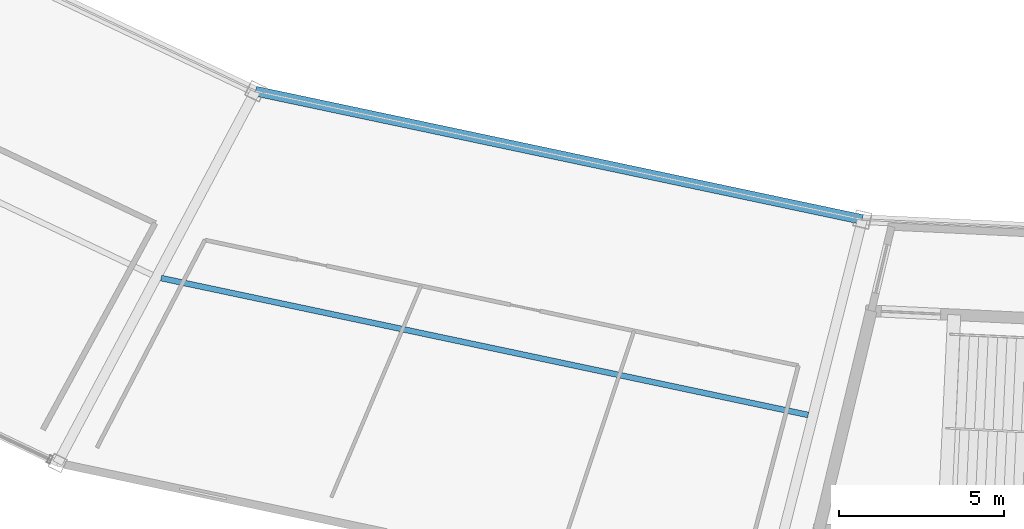
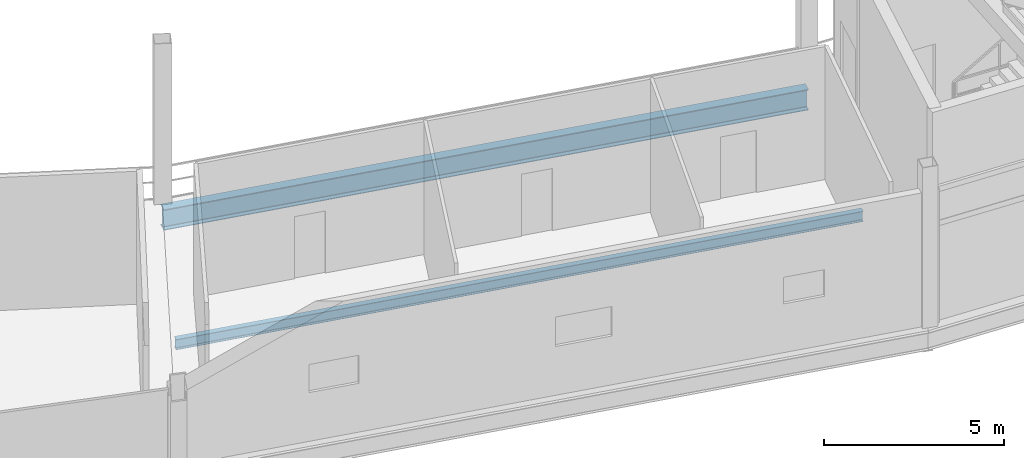
# One storey, part 23 of 103: 2 beams.
"""IFC4 building model written with IfcOpenShell, lengths in metres."""

from ifc_helpers import new_model, si_unit, direction, frame, origin, origin_2d, place, context, subcontext, project, spatial, i_section, extrude, material, material_profile, profile_set, type_object, element, save


model = new_model("IFC4")

# Units and contexts
model_context = context("Model", 3, precision=1e-05, world=origin(), true_north=direction((0.0, 1.0)))
body_context = subcontext(model_context, "Body", "Model", "MODEL_VIEW")
ifc_project = project(units=[si_unit("LENGTHUNIT", "METRE"), si_unit("AREAUNIT", "SQUARE_METRE"), si_unit("VOLUMEUNIT", "CUBIC_METRE"), si_unit("PLANEANGLEUNIT", "RADIAN"), si_unit("MASSUNIT", "GRAM", prefix="KILO")], contexts=[model_context])

# Site, building, storey
site_placement = place(None, origin())
site = spatial("IfcSite", under=ifc_project, at=site_placement, CompositionType="ELEMENT")
building_placement = place(site_placement, origin())
building = spatial("IfcBuilding", under=site, at=building_placement, Name="Kazemori Nagisa Stadium", CompositionType="ELEMENT")
storey_placement = place(building_placement, frame((0.0, 0.0, 25.840087890625)))
storey = spatial("IfcBuildingStorey", under=building, at=storey_placement, Name="L05", CompositionType="ELEMENT", Elevation=25.840087890625)

# Beams
ifc_material = material(Name="Steel SN490B", Category="steel")
ifc_material_profile_1 = material_profile(ifc_material, i_section(OverallWidth=0.300048828125, OverallDepth=0.699951171875, WebThickness=0.012939453125, FlangeThickness=0.02392578125, FilletRadius=0.01806640625, at=origin_2d()), Name="H-700x300x13x24")
ifc_profile_set_1 = profile_set([ifc_material_profile_1], Name="Steel SN490B")
beam_type_1 = type_object("IfcBeamType", Name="Beam_BG-H700", PredefinedType="BEAM", material=ifc_profile_set_1)
beam_1_placement = place(storey_placement, frame((86.18798828125, 32.80078125, -0.610107421875), z_axis=(0.978345149833, -0.206980114499, 0.0), x_axis=(0.206980114499, 0.978345149833, 0.0)))
element("IfcBeam", 1, at=beam_1_placement, inside=storey, type_object=beam_type_1, Name="Ring girder BG-H700 L05 R2-20", PredefinedType="BEAM", context=body_context, shape_type="SweptSolid", body=[
    extrude(i_section(OverallWidth=0.300048828125, OverallDepth=0.699951171875, WebThickness=0.012939453125, FlangeThickness=0.02392578125, FilletRadius=0.01806640625, at=origin_2d()), origin(), (0.0, 0.0, 1.0), 18.791259765625),
])
ifc_material_profile_2 = material_profile(ifc_material, i_section(OverallWidth=0.175048828125, OverallDepth=0.35009765625, WebThickness=0.007080078125, FlangeThickness=0.010986328125, FilletRadius=0.012939453125, at=origin_2d()), Name="H-350x175x7x11")
ifc_profile_set_2 = profile_set([ifc_material_profile_2], Name="Steel SN490B")
beam_type_2 = type_object("IfcBeamType", Name="Beam_BJ-H350", PredefinedType="JOIST", material=ifc_profile_set_2)
beam_2_placement = place(storey_placement, frame((83.33349609375, 27.13818359375, -0.43505859375), z_axis=(0.978344719644, -0.20698214789, 0.0), x_axis=(0.20698214789, 0.978344719644, 0.0)))
element("IfcBeam", 2, at=beam_2_placement, inside=storey, type_object=beam_type_2, Name="Outer bay joist BJ-H350 L05 B20", PredefinedType="JOIST", context=body_context, shape_type="SweptSolid", body=[
    extrude(i_section(OverallWidth=0.175048828125, OverallDepth=0.35009765625, WebThickness=0.007080078125, FlangeThickness=0.010986328125, FilletRadius=0.012939453125, at=origin_2d()), origin(), (0.0, 0.0, 1.0), 20.03076171875),
])

save(model, "model.ifc")
